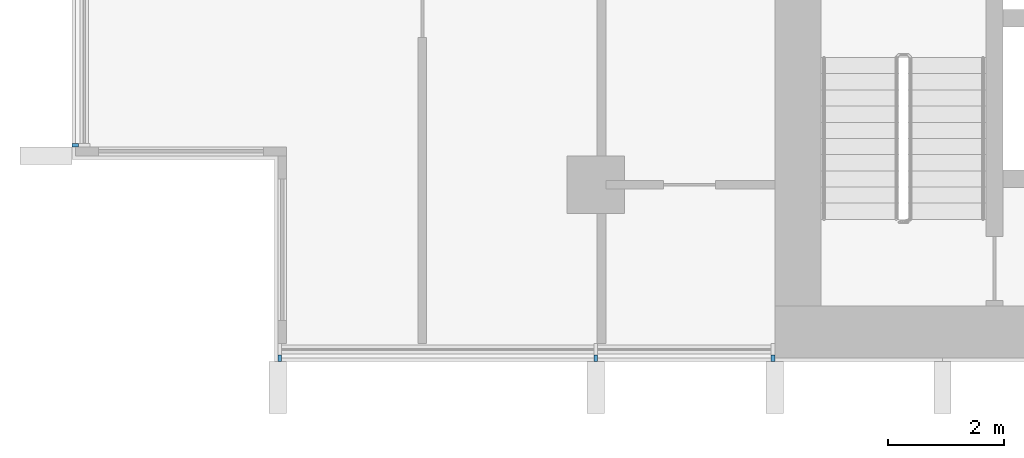
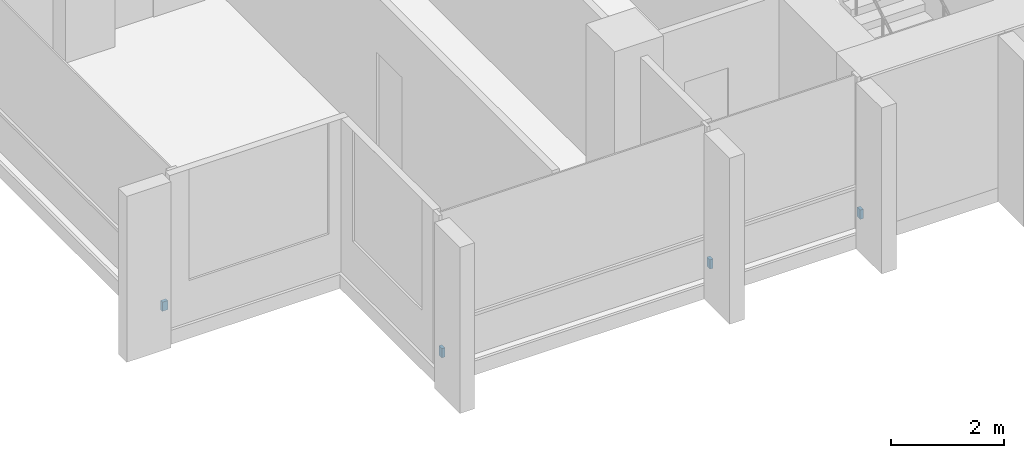
# One storey, part 13 of 17: 4 discrete accessories.
"""IFC4 building model written with IfcOpenShell, lengths in metres."""

from ifc_helpers import new_model, si_unit, direction, frame, origin, origin_2d, place, context, subcontext, project, spatial, rectangle, extrude, material, type_object, element, save


model = new_model("IFC4")

# Units and contexts
model_context = context("Model", 3, precision=1e-05, world=origin(), true_north=direction((0.0, 1.0)))
body_context = subcontext(model_context, "Body", "Model", "MODEL_VIEW")
ifc_project = project(units=[si_unit("LENGTHUNIT", "METRE"), si_unit("AREAUNIT", "SQUARE_METRE"), si_unit("VOLUMEUNIT", "CUBIC_METRE"), si_unit("PLANEANGLEUNIT", "RADIAN"), si_unit("MASSUNIT", "GRAM", prefix="KILO")], contexts=[model_context])

# Site, building, storey
site_placement = place(None, origin())
site = spatial("IfcSite", under=ifc_project, at=site_placement, CompositionType="ELEMENT")
building_placement = place(site_placement, origin())
building = spatial("IfcBuilding", under=site, at=building_placement, Name="Finial Court Residences", CompositionType="ELEMENT")
storey_placement = place(building_placement, frame((0.0, 0.0, 102.699951171875)))
storey = spatial("IfcBuildingStorey", under=building, at=storey_placement, Name="L25", CompositionType="ELEMENT", Elevation=102.699951171875)

# Discrete accessories
ifc_material = material(Name="Stainless steel 316", Category="steel")
discrete_accessory_type = type_object("IfcDiscreteAccessoryType", Name="Fin bracket, stainless steel 65 x 110 x 200", PredefinedType="BRACKET", material=ifc_material)
for number, where, z_axis, x_axis, name in (
    (1, (-21.967529296875, -25.5048828125, 0.30029296875), (0.0, 0.0, 1.0), (1.0, 0.0, 0.0), "E-L25-FIN-S16-BRK"),
    (2, (-16.5, -25.5048828125, 0.30029296875), (0.0, 0.0, 1.0), (1.0, 0.0, 0.0), "E-L25-FIN-S17-BRK"),
    (3, (-13.4326171875, -25.5048828125, 0.30029296875), (0.0, 0.0, 1.0), (1.0, 0.0, 0.0), "E-L25-FIN-S18-BRK"),
):
    element("IfcDiscreteAccessory", number, at=place(storey_placement, frame(where, z_axis=z_axis, x_axis=x_axis)), inside=storey, type_object=discrete_accessory_type, Name=name, PredefinedType="BRACKET", context=body_context, shape_type="SweptSolid", body=[
        extrude(rectangle(XDim=0.06494140625, YDim=0.110107421875, at=origin_2d()), origin(), (0.0, 0.0, 1.0), 0.199951171875),
    ])
discrete_accessory_placement = place(storey_placement, frame((-25.5048828125, -21.8173828125, 0.30029296875), z_axis=(0.0, 0.0, 1.0), x_axis=(1.0, 0.0, 0.0)))
element("IfcDiscreteAccessory", 4, at=discrete_accessory_placement, inside=storey, type_object=discrete_accessory_type, Name="E-L25-FIN-W26-BRK", PredefinedType="BRACKET", context=body_context, shape_type="SweptSolid", body=[
    extrude(rectangle(XDim=0.110107421875, YDim=0.06494140625, at=origin_2d()), origin(), (0.0, 0.0, 1.0), 0.199951171875),
])

save(model, "model.ifc")
